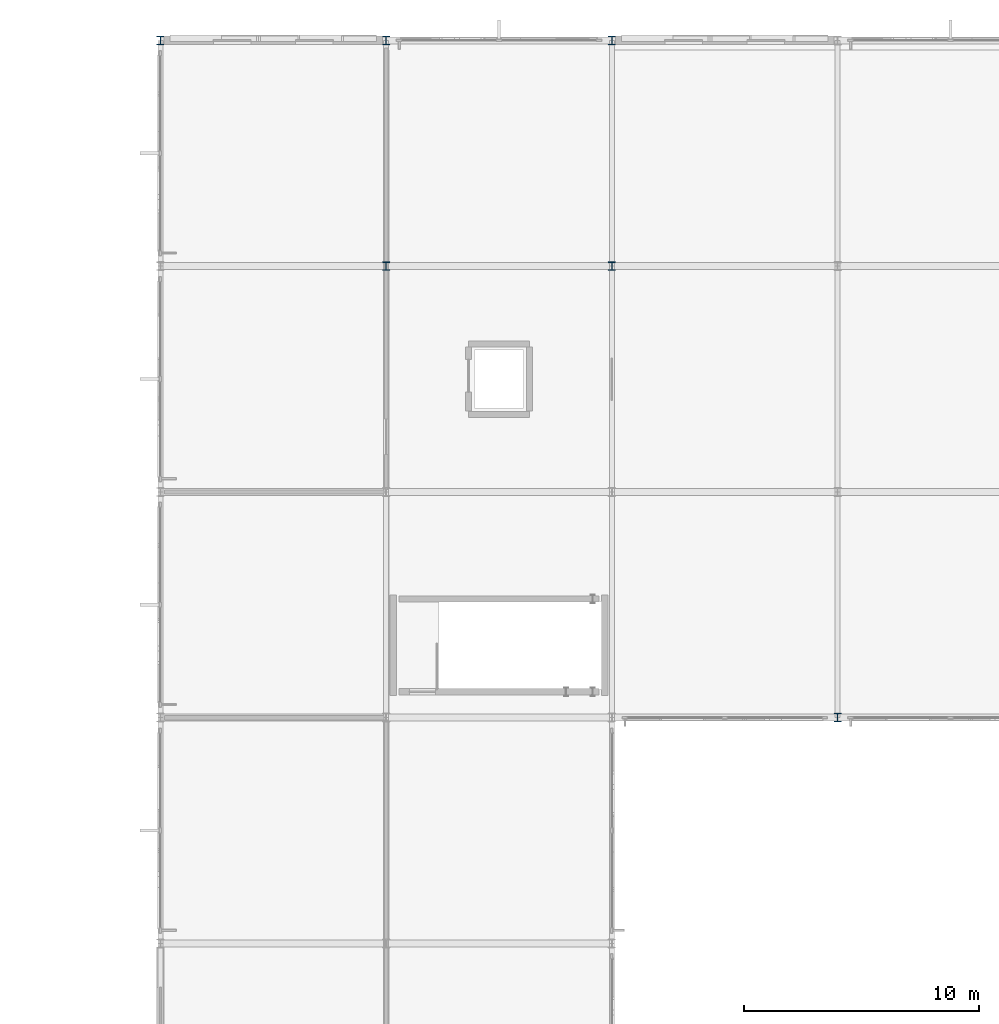
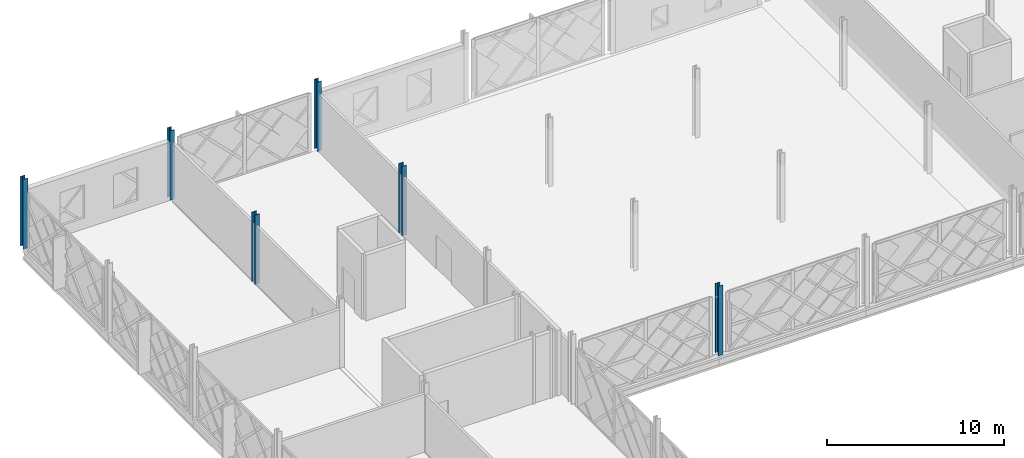
# One storey, part 9 of 77: 6 columns.
"""IFC4 building model written with IfcOpenShell, lengths in metres."""

from ifc_helpers import new_model, si_unit, direction, frame, origin, origin_2d, place, context, subcontext, project, spatial, i_section, extrude, material, material_profile, profile_set, type_object, element, save


model = new_model("IFC4")

# Units and contexts
model_context = context("Model", 3, precision=1e-05, world=origin(), true_north=direction((0.0, 1.0)))
body_context = subcontext(model_context, "Body", "Model", "MODEL_VIEW")
ifc_project = project(units=[si_unit("LENGTHUNIT", "METRE"), si_unit("AREAUNIT", "SQUARE_METRE"), si_unit("VOLUMEUNIT", "CUBIC_METRE"), si_unit("PLANEANGLEUNIT", "RADIAN"), si_unit("MASSUNIT", "GRAM", prefix="KILO")], contexts=[model_context])

# Site, building, storey
site_placement = place(None, origin())
site = spatial("IfcSite", under=ifc_project, at=site_placement, CompositionType="ELEMENT")
building_placement = place(site_placement, origin())
building = spatial("IfcBuilding", under=site, at=building_placement, Name="Zevrakil Square Congress Hotel", CompositionType="ELEMENT")
storey_placement = place(building_placement, frame((0.0, 0.0, 9.89990234375)))
storey = spatial("IfcBuildingStorey", under=building, at=storey_placement, Name="L03", CompositionType="ELEMENT", Elevation=9.89990234375)

# Columns
ifc_material = material(Name="Steel S355", Category="steel")
ifc_material_profile = material_profile(ifc_material, i_section(OverallWidth=0.300048828125, OverallDepth=0.360107421875, WebThickness=0.012451171875, FlangeThickness=0.0224609375, FilletRadius=0.027099609375, at=origin_2d()), Name="HEB 360")
ifc_profile_set = profile_set([ifc_material_profile], Name="Steel S355")
column_type = type_object("IfcColumnType", Name="COL-HEB360", PredefinedType="COLUMN", material=ifc_profile_set)
for number, where, z_axis, x_axis, name in (
    (1, (45.60009765625, 112.800048828125, 0.0), (0.0, 0.0, 1.0), (1.0, 0.0, 0.0), "L03 column C-079"),
    (2, (55.199951171875, 103.199951171875, 0.0), (0.0, 0.0, 1.0), (1.0, 0.0, 0.0), "L03 column C-096"),
    (3, (55.199951171875, 112.800048828125, 0.0), (0.0, 0.0, 1.0), (1.0, 0.0, 0.0), "L03 column C-097"),
    (4, (64.800048828125, 103.199951171875, 0.0), (0.0, 0.0, 1.0), (1.0, 0.0, 0.0), "L03 column C-110"),
    (5, (64.800048828125, 112.800048828125, 0.0), (0.0, 0.0, 1.0), (1.0, 0.0, 0.0), "L03 column C-111"),
    (6, (74.39990234375, 84.0, 0.0), (0.0, 0.0, 1.0), (1.0, 0.0, 0.0), "L03 column C-120"),
):
    element("IfcColumn", number, at=place(storey_placement, frame(where, z_axis=z_axis, x_axis=x_axis)), inside=storey, type_object=column_type, Name=name, PredefinedType="COLUMN", context=body_context, shape_type="SweptSolid", body=[
        extrude(i_section(OverallWidth=0.300048828125, OverallDepth=0.360107421875, WebThickness=0.012451171875, FlangeThickness=0.0224609375, FilletRadius=0.027099609375, at=origin_2d()), origin(), (0.0, 0.0, 1.0), 4.800048828125),
    ])

save(model, "model.ifc")
